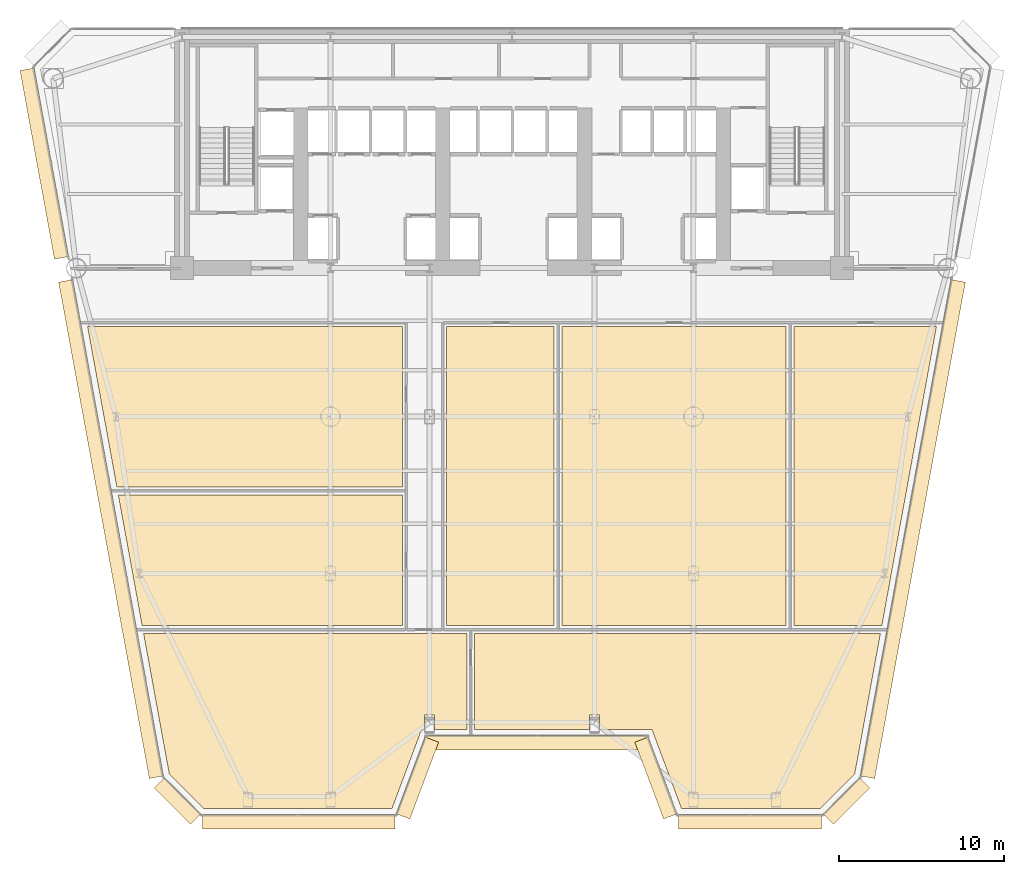
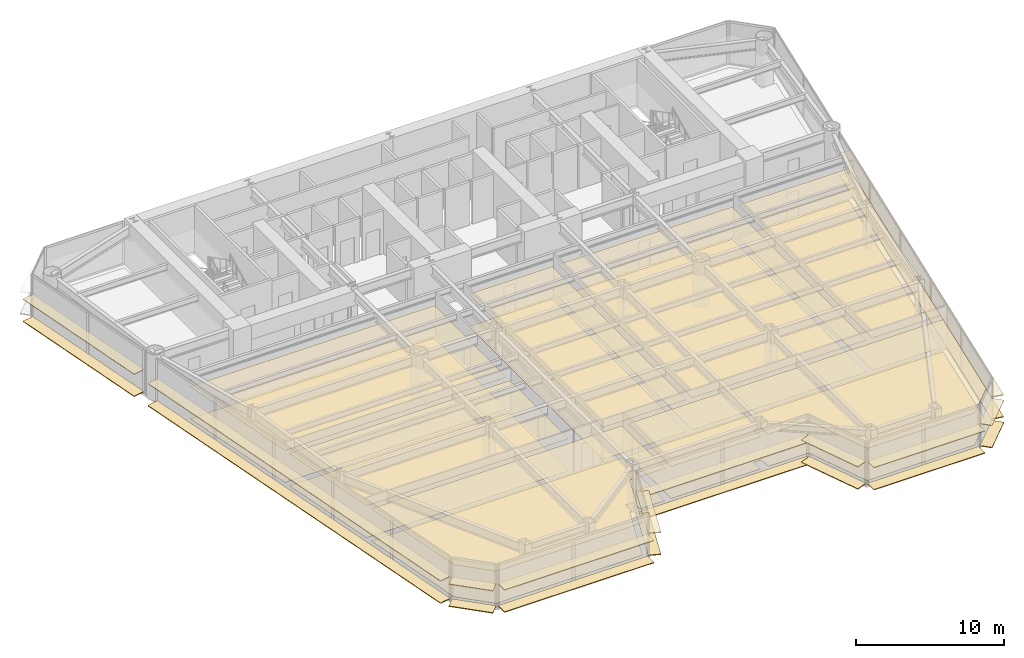
# One storey, part 11 of 14: 34 coverings.
"""IFC4 building model written with IfcOpenShell, lengths in metres."""

from ifc_helpers import new_model, si_unit, direction, frame, origin, origin_2d, place, context, subcontext, project, spatial, polyline, rectangle, outline, extrude, source, transform, mapped, material, layer, layer_set, type_object, element, save


model = new_model("IFC4")

# Units and contexts
model_context = context("Model", 3, precision=1e-05, world=origin(), true_north=direction((0.0, 1.0)))
body_context = subcontext(model_context, "Body", "Model", "MODEL_VIEW")
ifc_project = project(units=[si_unit("LENGTHUNIT", "METRE"), si_unit("AREAUNIT", "SQUARE_METRE"), si_unit("VOLUMEUNIT", "CUBIC_METRE"), si_unit("PLANEANGLEUNIT", "RADIAN"), si_unit("MASSUNIT", "GRAM", prefix="KILO")], contexts=[model_context])

# Site, building, storey
site_placement = place(None, origin())
site = spatial("IfcSite", under=ifc_project, at=site_placement, CompositionType="ELEMENT")
building_placement = place(site_placement, origin())
building = spatial("IfcBuilding", under=site, at=building_placement, Name="Vaeldorn Concourse Tower", CompositionType="ELEMENT")
storey_placement = place(building_placement, frame((0.0, 0.0, 72.0)))
storey = spatial("IfcBuildingStorey", under=building, at=storey_placement, Name="L18", CompositionType="ELEMENT", Elevation=72.0)

# Coverings
ifc_material_1 = material(Name="Acoustic Mineral Fibre Board", Category="gypsum")
ifc_layer_1 = layer(ifc_material_1, 0.0400390625)
ifc_layer_set_1 = layer_set([ifc_layer_1], Name="Acoustic Mineral Fibre Board")
covering_type_1 = type_object("IfcCoveringType", Name="COV-CEIL-ACOUSTIC", PredefinedType="CEILING", material=ifc_layer_set_1)
covering_1_placement = place(storey_placement, frame((0.0, 0.0, 2.64990234375)))
element("IfcCovering", 1, at=covering_1_placement, inside=storey, type_object=covering_type_1, Name="Suspended Acoustic Ceiling L18-5", PredefinedType="CEILING", context=body_context, shape_type="SweptSolid", body=[
    extrude(outline(polyline([(31.260009765625, 14.360107421875), (31.260009765625, 8.547119140625), (29.300048828125, 8.547119140625), (29.300048828125, 9.43603515625), (28.699951171875, 9.43603515625), (28.699951171875, 8.547119140625), (28.522705078125, 8.547119140625), (26.722900390625, 3.7470703125), (15.328369140625, 3.7470703125), (13.23388671875, 5.841796875), (11.677978515625, 14.360107421875), (31.260009765625, 14.360107421875)])), origin(), (0.0, 0.0, 1.0), 0.0400390625),
])
covering_2_placement = place(storey_placement, frame((0.0, 0.0, 2.64990234375)))
element("IfcCovering", 2, at=covering_2_placement, inside=storey, type_object=covering_type_1, Name="Suspended Acoustic Ceiling L18-6", PredefinedType="CEILING", context=body_context, shape_type="SweptSolid", body=[
    extrude(outline(polyline([(31.739990234375, 14.360107421875), (56.322021484375, 14.360107421875), (54.76611328125, 5.841796875), (52.671630859375, 3.7470703125), (44.277099609375, 3.7470703125), (42.477294921875, 8.547119140625), (39.300048828125, 8.547119140625), (39.300048828125, 9.43603515625), (38.699951171875, 9.43603515625), (38.699951171875, 8.547119140625), (31.739990234375, 8.547119140625), (31.739990234375, 14.360107421875)])), origin(), (0.0, 0.0, 1.0), 0.0400390625),
])
covering_3_placement = place(storey_placement, frame((0.0, 0.0, 2.64990234375)))
element("IfcCovering", 3, at=covering_3_placement, inside=storey, type_object=covering_type_1, Name="Suspended Acoustic Ceiling L18-7", PredefinedType="CEILING", context=body_context, shape_type="SweptSolid", body=[
    extrude(outline(polyline([(27.360107421875, 22.760009765625), (27.360107421875, 14.840087890625), (11.59033203125, 14.840087890625), (10.14404296875, 22.760009765625), (27.360107421875, 22.760009765625)])), origin(), (0.0, 0.0, 1.0), 0.0400390625),
])
covering_4_placement = place(storey_placement, frame((0.0, 0.0, 2.64990234375)))
element("IfcCovering", 4, at=covering_4_placement, inside=storey, type_object=covering_type_1, Name="Suspended Acoustic Ceiling L18-8", PredefinedType="CEILING", context=body_context, shape_type="SweptSolid", body=[
    extrude(outline(polyline([(27.360107421875, 32.9599609375), (27.360107421875, 23.239990234375), (10.056396484375, 23.239990234375), (8.28125, 32.9599609375), (27.360107421875, 32.9599609375)])), origin(), (0.0, 0.0, 1.0), 0.0400390625),
])
covering_5_placement = place(storey_placement, frame((0.0, 0.0, 2.64990234375)))
element("IfcCovering", 5, at=covering_5_placement, inside=storey, type_object=covering_type_1, Name="Suspended Acoustic Ceiling L18-9", PredefinedType="CEILING", context=body_context, shape_type="SweptSolid", body=[
    extrude(outline(polyline([(30.0400390625, 32.9599609375), (36.56005859375, 32.9599609375), (36.56005859375, 14.840087890625), (30.0400390625, 14.840087890625), (30.0400390625, 32.9599609375)])), origin(), (0.0, 0.0, 1.0), 0.0400390625),
])
covering_6_placement = place(storey_placement, frame((0.0, 0.0, 2.64990234375)))
element("IfcCovering", 6, at=covering_6_placement, inside=storey, type_object=covering_type_1, Name="Suspended Acoustic Ceiling L18-10", PredefinedType="CEILING", context=body_context, shape_type="SweptSolid", body=[
    extrude(outline(polyline([(37.0400390625, 32.9599609375), (50.610107421875, 32.9599609375), (50.610107421875, 14.840087890625), (37.0400390625, 14.840087890625), (37.0400390625, 32.9599609375)])), origin(), (0.0, 0.0, 1.0), 0.0400390625),
])
covering_7_placement = place(storey_placement, frame((0.0, 0.0, 2.64990234375)))
element("IfcCovering", 7, at=covering_7_placement, inside=storey, type_object=covering_type_1, Name="Suspended Acoustic Ceiling L18-11", PredefinedType="CEILING", context=body_context, shape_type="SweptSolid", body=[
    extrude(outline(polyline([(51.090087890625, 14.840087890625), (51.090087890625, 32.9599609375), (59.71875, 32.9599609375), (56.40966796875, 14.840087890625), (51.090087890625, 14.840087890625)])), origin(), (0.0, 0.0, 1.0), 0.0400390625),
])
ifc_material_2 = material(Name="Honed Limestone Terrazzo Flooring", Category="masonry")
ifc_layer_2 = layer(ifc_material_2, 0.0400390625)
ifc_layer_set_2 = layer_set([ifc_layer_2], Name="Honed Limestone Terrazzo Flooring")
covering_type_2 = type_object("IfcCoveringType", Name="COV-FLOOR-STONE", PredefinedType="FLOORING", material=ifc_layer_set_2)
covering_8_placement = place(storey_placement, origin())
element("IfcCovering", 8, at=covering_8_placement, inside=storey, type_object=covering_type_2, Name="Floor Finish Covering L18-5", PredefinedType="FLOORING", context=body_context, shape_type="SweptSolid", body=[
    extrude(outline(polyline([(31.260009765625, 14.360107421875), (31.260009765625, 8.547119140625), (29.300048828125, 8.547119140625), (29.300048828125, 9.43603515625), (28.699951171875, 9.43603515625), (28.699951171875, 8.547119140625), (28.522705078125, 8.547119140625), (26.722900390625, 3.7470703125), (15.328369140625, 3.7470703125), (13.23388671875, 5.841796875), (11.677978515625, 14.360107421875), (31.260009765625, 14.360107421875)])), origin(), (0.0, 0.0, 1.0), 0.030029296875),
])
covering_9_placement = place(storey_placement, origin())
element("IfcCovering", 9, at=covering_9_placement, inside=storey, type_object=covering_type_2, Name="Floor Finish Covering L18-6", PredefinedType="FLOORING", context=body_context, shape_type="SweptSolid", body=[
    extrude(outline(polyline([(31.739990234375, 14.360107421875), (56.322021484375, 14.360107421875), (54.76611328125, 5.841796875), (52.671630859375, 3.7470703125), (44.277099609375, 3.7470703125), (42.477294921875, 8.547119140625), (39.300048828125, 8.547119140625), (39.300048828125, 9.43603515625), (38.699951171875, 9.43603515625), (38.699951171875, 8.547119140625), (31.739990234375, 8.547119140625), (31.739990234375, 14.360107421875)])), origin(), (0.0, 0.0, 1.0), 0.030029296875),
])
covering_10_placement = place(storey_placement, origin())
element("IfcCovering", 10, at=covering_10_placement, inside=storey, type_object=covering_type_2, Name="Floor Finish Covering L18-7", PredefinedType="FLOORING", context=body_context, shape_type="SweptSolid", body=[
    extrude(outline(polyline([(27.360107421875, 22.760009765625), (27.360107421875, 14.840087890625), (11.59033203125, 14.840087890625), (10.14404296875, 22.760009765625), (27.360107421875, 22.760009765625)])), origin(), (0.0, 0.0, 1.0), 0.030029296875),
])
covering_11_placement = place(storey_placement, origin())
element("IfcCovering", 11, at=covering_11_placement, inside=storey, type_object=covering_type_2, Name="Floor Finish Covering L18-8", PredefinedType="FLOORING", context=body_context, shape_type="SweptSolid", body=[
    extrude(outline(polyline([(27.360107421875, 32.9599609375), (27.360107421875, 23.239990234375), (10.056396484375, 23.239990234375), (8.28125, 32.9599609375), (27.360107421875, 32.9599609375)])), origin(), (0.0, 0.0, 1.0), 0.030029296875),
])
covering_12_placement = place(storey_placement, origin())
element("IfcCovering", 12, at=covering_12_placement, inside=storey, type_object=covering_type_2, Name="Floor Finish Covering L18-9", PredefinedType="FLOORING", context=body_context, shape_type="SweptSolid", body=[
    extrude(outline(polyline([(30.0400390625, 32.9599609375), (36.56005859375, 32.9599609375), (36.56005859375, 14.840087890625), (30.0400390625, 14.840087890625), (30.0400390625, 32.9599609375)])), origin(), (0.0, 0.0, 1.0), 0.030029296875),
])
covering_13_placement = place(storey_placement, origin())
element("IfcCovering", 13, at=covering_13_placement, inside=storey, type_object=covering_type_2, Name="Floor Finish Covering L18-10", PredefinedType="FLOORING", context=body_context, shape_type="SweptSolid", body=[
    extrude(outline(polyline([(37.0400390625, 32.9599609375), (50.610107421875, 32.9599609375), (50.610107421875, 14.840087890625), (37.0400390625, 14.840087890625), (37.0400390625, 32.9599609375)])), origin(), (0.0, 0.0, 1.0), 0.030029296875),
])
covering_14_placement = place(storey_placement, origin())
element("IfcCovering", 14, at=covering_14_placement, inside=storey, type_object=covering_type_2, Name="Floor Finish Covering L18-11", PredefinedType="FLOORING", context=body_context, shape_type="SweptSolid", body=[
    extrude(outline(polyline([(51.090087890625, 14.840087890625), (51.090087890625, 32.9599609375), (59.71875, 32.9599609375), (56.40966796875, 14.840087890625), (51.090087890625, 14.840087890625)])), origin(), (0.0, 0.0, 1.0), 0.030029296875),
])
ifc_material_3 = material(Name="Anodised Bronze Aluminium", Category="aluminium")
ifc_layer_3 = layer(ifc_material_3, 0.06494140625)
ifc_layer_set_3 = layer_set([ifc_layer_3], Name="Anodised Bronze Aluminium")
covering_type_3 = type_object("IfcCoveringType", Name="SD-BRONZE-SUNSHADE", PredefinedType="USERDEFINED", material=ifc_layer_set_3)
shared_shape_1 = source(origin(), body_context, "Body", "SweptSolid", [
    extrude(rectangle(XDim=4.96630859375, YDim=0.8798828125, at=origin_2d()), origin(), (0.0, 0.0, 1.0), 0.06494140625),
])
for number, where, z_axis, x_axis, name in (
    (15, (28.2744140625, 5.606689453125, 0.047607421875), (0.0, 0.0, 1.0), (0.351122702609, 0.936329454686, 0.0), "Horizontal Bronze Sunshade L18-E02.1.1"),
    (16, (28.2744140625, 5.606689453125, 1.867431640625), (0.0, 0.0, 1.0), (0.351122702609, 0.936329454686, 0.0), "Horizontal Bronze Sunshade L18-E02.1.2"),
    (17, (42.7255859375, 5.606689453125, 0.047607421875), (0.0, 0.0, 1.0), (0.351122702609, -0.936329454686, 0.0), "Horizontal Bronze Sunshade L18-E04.1.1"),
    (18, (42.7255859375, 5.606689453125, 1.867431640625), (0.0, 0.0, 1.0), (0.351122702609, -0.936329454686, 0.0), "Horizontal Bronze Sunshade L18-E04.1.2"),
):
    element("IfcCovering", number, at=place(storey_placement, frame(where, z_axis=z_axis, x_axis=x_axis)), inside=storey, type_object=covering_type_3, Name=name, ObjectType="SUNSHADE", PredefinedType="USERDEFINED", context=body_context, shape_type="MappedRepresentation", body=[
        mapped(shared_shape_1, transform((0.0, 0.0, 0.0), scale=1.0)),
    ])
shared_shape_2 = source(origin(), body_context, "Body", "SweptSolid", [
    extrude(rectangle(XDim=13.239990234375, YDim=0.8798828125, at=origin_2d()), origin(), (0.0, 0.0, 1.0), 0.06494140625),
])
for number, where, z_axis, x_axis, name in (
    (19, (35.5, 7.7470703125, 0.047607421875), (0.0, 0.0, 1.0), (1.0, 0.0, 0.0), "Horizontal Bronze Sunshade L18-E03.1.1"),
    (20, (35.5, 7.7470703125, 1.867431640625), (0.0, 0.0, 1.0), (1.0, 0.0, 0.0), "Horizontal Bronze Sunshade L18-E03.1.2"),
):
    element("IfcCovering", number, at=place(storey_placement, frame(where, z_axis=z_axis, x_axis=x_axis)), inside=storey, type_object=covering_type_3, Name=name, ObjectType="SUNSHADE", PredefinedType="USERDEFINED", context=body_context, shape_type="MappedRepresentation", body=[
        mapped(shared_shape_2, transform((0.0, 0.0, 0.0), scale=1.0)),
    ])
shared_shape_3 = source(origin(), body_context, "Body", "SweptSolid", [
    extrude(rectangle(XDim=3.0927734375, YDim=0.8798828125, at=origin_2d()), origin(), (0.0, 0.0, 1.0), 0.06494140625),
])
for number, where, z_axis, x_axis, name in (
    (21, (54.27001953125, 4.21435546875, 0.047607421875), (0.0, 0.0, 1.0), (0.707106781187, 0.707106781187, 0.0), "Horizontal Bronze Sunshade L18-E06.1.1"),
    (22, (54.27001953125, 4.21435546875, 1.867431640625), (0.0, 0.0, 1.0), (0.707106781187, 0.707106781187, 0.0), "Horizontal Bronze Sunshade L18-E06.1.2"),
    (23, (13.72998046875, 4.21435546875, 0.047607421875), (0.0, 0.0, 1.0), (0.707106781187, -0.707106781187, 0.0), "Horizontal Bronze Sunshade L18-E12.1.1"),
    (24, (13.72998046875, 4.21435546875, 1.867431640625), (0.0, 0.0, 1.0), (0.707106781187, -0.707106781187, 0.0), "Horizontal Bronze Sunshade L18-E12.1.2"),
):
    element("IfcCovering", number, at=place(storey_placement, frame(where, z_axis=z_axis, x_axis=x_axis)), inside=storey, type_object=covering_type_3, Name=name, ObjectType="SUNSHADE", PredefinedType="USERDEFINED", context=body_context, shape_type="MappedRepresentation", body=[
        mapped(shared_shape_3, transform((0.0, 0.0, 0.0), scale=1.0)),
    ])
shared_shape_4 = source(origin(), body_context, "Body", "SweptSolid", [
    extrude(rectangle(XDim=11.67724609375, YDim=0.8798828125, at=origin_2d()), origin(), (0.0, 0.0, 1.0), 0.06494140625),
])
for number, where, z_axis, x_axis, name in (
    (25, (21.081298828125, 2.947021484375, 0.047607421875), (0.0, 0.0, 1.0), (1.0, 0.0, 0.0), "Horizontal Bronze Sunshade L18-E01.1.1"),
    (26, (21.081298828125, 2.947021484375, 1.867431640625), (0.0, 0.0, 1.0), (1.0, 0.0, 0.0), "Horizontal Bronze Sunshade L18-E01.1.2"),
):
    element("IfcCovering", number, at=place(storey_placement, frame(where, z_axis=z_axis, x_axis=x_axis)), inside=storey, type_object=covering_type_3, Name=name, ObjectType="SUNSHADE", PredefinedType="USERDEFINED", context=body_context, shape_type="MappedRepresentation", body=[
        mapped(shared_shape_4, transform((0.0, 0.0, 0.0), scale=1.0)),
    ])
shared_shape_5 = source(origin(), body_context, "Body", "SweptSolid", [
    extrude(rectangle(XDim=8.67724609375, YDim=0.8798828125, at=origin_2d()), origin(), (0.0, 0.0, 1.0), 0.06494140625),
])
for number, where, z_axis, x_axis, name in (
    (27, (48.418701171875, 2.947021484375, 0.047607421875), (0.0, 0.0, 1.0), (1.0, 0.0, 0.0), "Horizontal Bronze Sunshade L18-E05.1.1"),
    (28, (48.418701171875, 2.947021484375, 1.867431640625), (0.0, 0.0, 1.0), (1.0, 0.0, 0.0), "Horizontal Bronze Sunshade L18-E05.1.2"),
):
    element("IfcCovering", number, at=place(storey_placement, frame(where, z_axis=z_axis, x_axis=x_axis)), inside=storey, type_object=covering_type_3, Name=name, ObjectType="SUNSHADE", PredefinedType="USERDEFINED", context=body_context, shape_type="MappedRepresentation", body=[
        mapped(shared_shape_5, transform((0.0, 0.0, 0.0), scale=1.0)),
    ])
shared_shape_6 = source(origin(), body_context, "Body", "SweptSolid", [
    extrude(rectangle(XDim=30.573486328125, YDim=0.8798828125, at=origin_2d()), origin(), (0.0, 0.0, 1.0), 0.06494140625),
])
for number, where, z_axis, x_axis, name in (
    (29, (58.29150390625, 20.69189453125, 0.047607421875), (0.0, 0.0, 1.0), (0.179660748593, 0.98372862895, 0.0), "Horizontal Bronze Sunshade L18-E07.1.1"),
    (30, (58.29150390625, 20.69189453125, 1.867431640625), (0.0, 0.0, 1.0), (0.179660748593, 0.98372862895, 0.0), "Horizontal Bronze Sunshade L18-E07.1.2"),
    (31, (9.70849609375, 20.69189453125, 0.047607421875), (0.0, 0.0, 1.0), (0.179660748593, -0.98372862895, 0.0), "Horizontal Bronze Sunshade L18-E11.2.1"),
    (32, (9.70849609375, 20.69189453125, 1.867431640625), (0.0, 0.0, 1.0), (0.179660748593, -0.98372862895, 0.0), "Horizontal Bronze Sunshade L18-E11.2.2"),
):
    element("IfcCovering", number, at=place(storey_placement, frame(where, z_axis=z_axis, x_axis=x_axis)), inside=storey, type_object=covering_type_3, Name=name, ObjectType="SUNSHADE", PredefinedType="USERDEFINED", context=body_context, shape_type="MappedRepresentation", body=[
        mapped(shared_shape_6, transform((0.0, 0.0, 0.0), scale=1.0)),
    ])
shared_shape_7 = source(origin(), body_context, "Body", "SweptSolid", [
    extrude(rectangle(XDim=11.612060546875, YDim=0.8798828125, at=origin_2d()), origin(), (0.0, 0.0, 1.0), 0.06494140625),
])
for number, where, z_axis, x_axis, name in (
    (33, (5.6640625, 42.837890625, 0.047607421875), (0.0, 0.0, 1.0), (0.179660748593, -0.98372862895, 0.0), "Horizontal Bronze Sunshade L18-E11.1.1"),
    (34, (5.6640625, 42.837890625, 1.867431640625), (0.0, 0.0, 1.0), (0.179660748593, -0.98372862895, 0.0), "Horizontal Bronze Sunshade L18-E11.1.2"),
):
    element("IfcCovering", number, at=place(storey_placement, frame(where, z_axis=z_axis, x_axis=x_axis)), inside=storey, type_object=covering_type_3, Name=name, ObjectType="SUNSHADE", PredefinedType="USERDEFINED", context=body_context, shape_type="MappedRepresentation", body=[
        mapped(shared_shape_7, transform((0.0, 0.0, 0.0), scale=1.0)),
    ])

save(model, "model.ifc")
